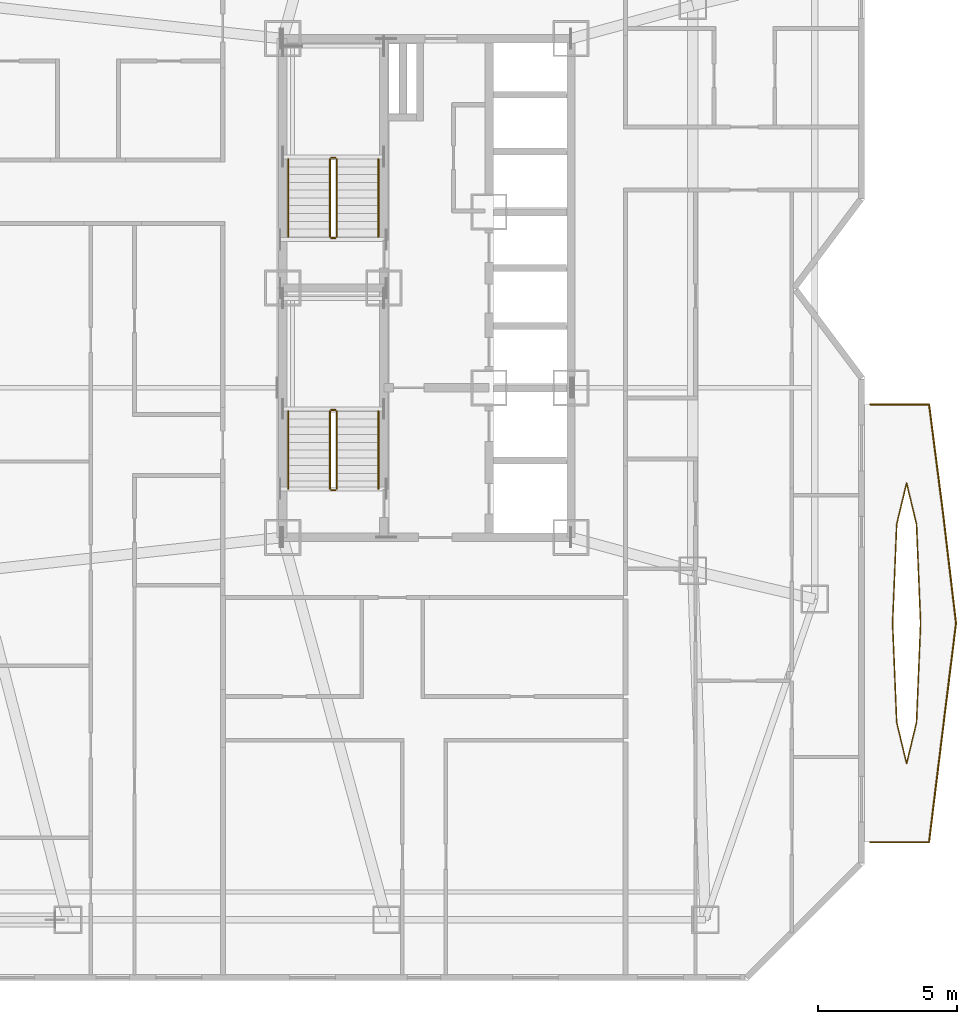
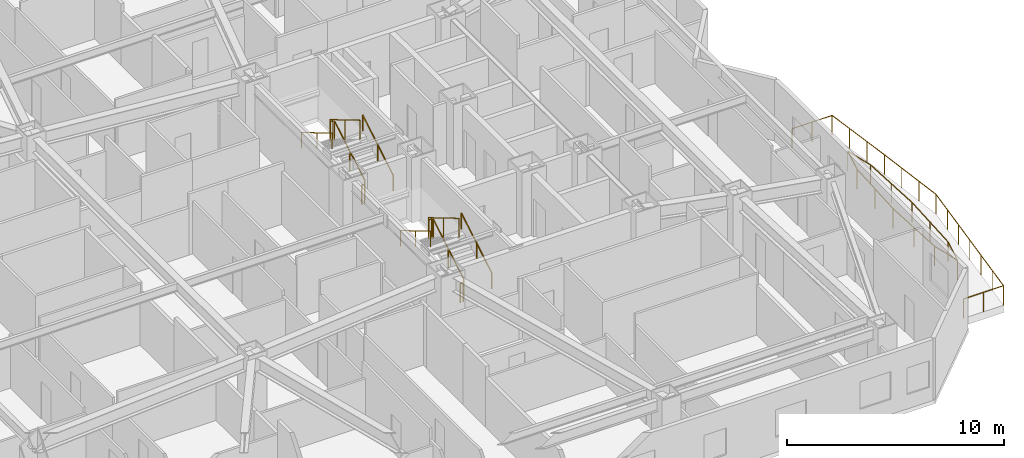
# One storey, part 15 of 16: 16 railings.
"""IFC4 building model written with IfcOpenShell, lengths in metres."""

from ifc_helpers import new_model, si_unit, direction, frame, origin, origin_2d, place, context, subcontext, project, spatial, circle, extrude, material, type_object, element, save


model = new_model("IFC4")

# Units and contexts
model_context = context("Model", 3, precision=1e-05, world=origin(), true_north=direction((0.0, 1.0)))
body_context = subcontext(model_context, "Body", "Model", "MODEL_VIEW")
ifc_project = project(units=[si_unit("LENGTHUNIT", "METRE"), si_unit("AREAUNIT", "SQUARE_METRE"), si_unit("VOLUMEUNIT", "CUBIC_METRE"), si_unit("PLANEANGLEUNIT", "RADIAN"), si_unit("MASSUNIT", "GRAM", prefix="KILO")], contexts=[model_context])

# Site, building, storey
site_placement = place(None, origin())
site = spatial("IfcSite", under=ifc_project, at=site_placement, CompositionType="ELEMENT")
building_placement = place(site_placement, origin())
building = spatial("IfcBuilding", under=site, at=building_placement, Name="Khamvora Tower", CompositionType="ELEMENT")
storey_placement = place(building_placement, frame((0.0, 0.0, 77.10009765625)))
storey = spatial("IfcBuildingStorey", under=building, at=storey_placement, Name="L19", CompositionType="ELEMENT", Elevation=77.10009765625)

# Railings
ifc_material_1 = material(Name="Stainless Steel 316 and Laminated Glass", Category="steel")
railing_type_1 = type_object("IfcRailingType", Name="RAL-GAL-1120", PredefinedType="GUARDRAIL", material=ifc_material_1)
railing_1_placement = place(storey_placement, frame((50.199951171875, 8.0, 0.0)))
element("IfcRailing", 1, at=railing_1_placement, inside=storey, type_object=railing_type_1, Name="L19 lens gallery south perimeter guardrail EL1", PredefinedType="GUARDRAIL", context=body_context, shape_type="SweptSolid", body=[
    extrude(circle(Radius=0.02392578125, at=origin_2d()), frame((0.0, 0.0, 1.09619140625), z_axis=(1.0, 0.0, 0.0), x_axis=(0.0, 1.0, 0.0)), (0.0, 0.0, 1.0), 2.125),
    extrude(circle(Radius=0.02392578125, at=origin_2d()), frame((2.125, 0.0, 1.09619140625), z_axis=(0.12189766322, 0.992542673995, 0.0), x_axis=(-0.992542673995, 0.12189766322, 0.0)), (0.0, 0.0, 1.0), 3.979736328125),
    extrude(circle(Radius=0.02392578125, at=origin_2d()), frame((2.610107421875, 3.949951171875, 1.09619140625), z_axis=(0.123106111701, 0.992393513311, 0.0), x_axis=(-0.992393513311, 0.123106111701, 0.0)), (0.0, 0.0, 1.0), 3.980224609375),
    extrude(circle(Radius=0.02099609375, at=origin_2d()), origin(), (0.0, 0.0, 1.0), 1.072021484375),
    extrude(circle(Radius=0.02099609375, at=origin_2d()), frame((1.0625, 0.0, 0.0)), (0.0, 0.0, 1.0), 1.072021484375),
    extrude(circle(Radius=0.02099609375, at=origin_2d()), frame((2.125, 0.0, 0.0)), (0.0, 0.0, 1.0), 1.072021484375),
    extrude(circle(Radius=0.02099609375, at=origin_2d()), frame((2.28662109375, 1.316650390625, 0.0)), (0.0, 0.0, 1.0), 1.072021484375),
    extrude(circle(Radius=0.02099609375, at=origin_2d()), frame((2.448486328125, 2.63330078125, 0.0)), (0.0, 0.0, 1.0), 1.072021484375),
    extrude(circle(Radius=0.02099609375, at=origin_2d()), frame((2.610107421875, 3.949951171875, 0.0)), (0.0, 0.0, 1.0), 1.072021484375),
    extrude(circle(Radius=0.02099609375, at=origin_2d()), frame((2.7734375, 5.2666015625, 0.0)), (0.0, 0.0, 1.0), 1.072021484375),
    extrude(circle(Radius=0.02099609375, at=origin_2d()), frame((2.936767578125, 6.583251953125, 0.0)), (0.0, 0.0, 1.0), 1.072021484375),
    extrude(circle(Radius=0.02099609375, at=origin_2d()), frame((3.10009765625, 7.89990234375, 0.0)), (0.0, 0.0, 1.0), 1.072021484375),
])
railing_2_placement = place(storey_placement, frame((53.300048828125, 15.89990234375, 0.0)))
element("IfcRailing", 2, at=railing_2_placement, inside=storey, type_object=railing_type_1, Name="L19 lens gallery north perimeter guardrail EL1", PredefinedType="GUARDRAIL", context=body_context, shape_type="SweptSolid", body=[
    extrude(circle(Radius=0.02392578125, at=origin_2d()), frame((0.0, 0.0, 1.09619140625), z_axis=(-0.117172436077, 0.993111584981, 0.0), x_axis=(-0.993111584981, -0.117172436077, 0.0)), (0.0, 0.0, 1.0), 3.9775390625),
    extrude(circle(Radius=0.02392578125, at=origin_2d()), frame((-0.466064453125, 3.9501953125, 1.09619140625), z_axis=(-0.127572572212, 0.99182923874, 0.0), x_axis=(-0.99182923874, -0.127572572212, 0.0)), (0.0, 0.0, 1.0), 3.982421875),
    extrude(circle(Radius=0.02392578125, at=origin_2d()), frame((-0.97412109375, 7.900146484375, 1.09619140625), z_axis=(-1.0, 0.0, 0.0), x_axis=(0.0, -1.0, 0.0)), (0.0, 0.0, 1.0), 2.1259765625),
    extrude(circle(Radius=0.02099609375, at=origin_2d()), origin(), (0.0, 0.0, 1.0), 1.072021484375),
    extrude(circle(Radius=0.02099609375, at=origin_2d()), frame((-0.1552734375, 1.316650390625, 0.0)), (0.0, 0.0, 1.0), 1.072021484375),
    extrude(circle(Radius=0.02099609375, at=origin_2d()), frame((-0.310791015625, 2.633544921875, 0.0)), (0.0, 0.0, 1.0), 1.072021484375),
    extrude(circle(Radius=0.02099609375, at=origin_2d()), frame((-0.466064453125, 3.9501953125, 0.0)), (0.0, 0.0, 1.0), 1.072021484375),
    extrude(circle(Radius=0.02099609375, at=origin_2d()), frame((-0.635498046875, 5.266845703125, 0.0)), (0.0, 0.0, 1.0), 1.072021484375),
    extrude(circle(Radius=0.02099609375, at=origin_2d()), frame((-0.8046875, 6.58349609375, 0.0)), (0.0, 0.0, 1.0), 1.072021484375),
    extrude(circle(Radius=0.02099609375, at=origin_2d()), frame((-0.97412109375, 7.900146484375, 0.0)), (0.0, 0.0, 1.0), 1.072021484375),
    extrude(circle(Radius=0.02099609375, at=origin_2d()), frame((-2.037109375, 7.900146484375, 0.0)), (0.0, 0.0, 1.0), 1.072021484375),
    extrude(circle(Radius=0.02099609375, at=origin_2d()), frame((-3.10009765625, 7.900146484375, 0.0)), (0.0, 0.0, 1.0), 1.072021484375),
])
railing_3_placement = place(storey_placement, frame((52.01904296875, 15.89990234375, 0.0)))
element("IfcRailing", 3, at=railing_3_placement, inside=storey, type_object=railing_type_1, Name="L19 lens gallery void guardrail EL1A", PredefinedType="GUARDRAIL", context=body_context, shape_type="SweptSolid", body=[
    extrude(circle(Radius=0.02392578125, at=origin_2d()), frame((0.0, 0.0, 1.09619140625), z_axis=(-0.041346748408, 0.999144857564, 0.0), x_axis=(-0.999144857564, -0.041346748408, 0.0)), (0.0, 0.0, 1.0), 3.578369140625),
    extrude(circle(Radius=0.02392578125, at=origin_2d()), frame((-0.14794921875, 3.5751953125, 1.09619140625), z_axis=(-0.233851831104, 0.972272246384, 0.0), x_axis=(-0.972272246384, -0.233851831104, 0.0)), (0.0, 0.0, 1.0), 1.523193359375),
    extrude(circle(Radius=0.02392578125, at=origin_2d()), frame((-0.504150390625, 5.05615234375, 1.09619140625), z_axis=(-0.233700305622, -0.972308678945, 0.0), x_axis=(0.972308678945, -0.233700305622, 0.0)), (0.0, 0.0, 1.0), 1.523193359375),
    extrude(circle(Radius=0.02392578125, at=origin_2d()), frame((-0.860107421875, 3.5751953125, 1.09619140625), z_axis=(-0.041346748408, -0.999144857564, 0.0), x_axis=(0.999144857564, -0.041346748408, 0.0)), (0.0, 0.0, 1.0), 3.578369140625),
    extrude(circle(Radius=0.02099609375, at=origin_2d()), origin(), (0.0, 0.0, 1.0), 1.072021484375),
    extrude(circle(Radius=0.02099609375, at=origin_2d()), frame((-0.073974609375, 1.78759765625, 0.0)), (0.0, 0.0, 1.0), 1.072021484375),
    extrude(circle(Radius=0.02099609375, at=origin_2d()), frame((-0.14794921875, 3.5751953125, 0.0)), (0.0, 0.0, 1.0), 1.072021484375),
    extrude(circle(Radius=0.02099609375, at=origin_2d()), frame((-0.504150390625, 5.05615234375, 0.0)), (0.0, 0.0, 1.0), 1.072021484375),
    extrude(circle(Radius=0.02099609375, at=origin_2d()), frame((-0.860107421875, 3.5751953125, 0.0)), (0.0, 0.0, 1.0), 1.072021484375),
    extrude(circle(Radius=0.02099609375, at=origin_2d()), frame((-0.93408203125, 1.78759765625, 0.0)), (0.0, 0.0, 1.0), 1.072021484375),
    extrude(circle(Radius=0.02099609375, at=origin_2d()), frame((-1.008056640625, 0.0, 0.0)), (0.0, 0.0, 1.0), 1.072021484375),
])
railing_4_placement = place(storey_placement, frame((51.010986328125, 15.89990234375, 0.0)))
element("IfcRailing", 4, at=railing_4_placement, inside=storey, type_object=railing_type_1, Name="L19 lens gallery void guardrail EL1B", PredefinedType="GUARDRAIL", context=body_context, shape_type="SweptSolid", body=[
    extrude(circle(Radius=0.02392578125, at=origin_2d()), frame((0.0, 0.0, 1.09619140625), z_axis=(0.041349567233, -0.999144740911, 0.0), x_axis=(0.999144740911, 0.041349567233, 0.0)), (0.0, 0.0, 1.0), 3.578125),
    extrude(circle(Radius=0.02392578125, at=origin_2d()), frame((0.14794921875, -3.574951171875, 1.09619140625), z_axis=(0.233700305622, -0.972308678945, 0.0), x_axis=(0.972308678945, 0.233700305622, 0.0)), (0.0, 0.0, 1.0), 1.523193359375),
    extrude(circle(Radius=0.02392578125, at=origin_2d()), frame((0.50390625, -5.055908203125, 1.09619140625), z_axis=(0.233851831104, 0.972272246384, 0.0), x_axis=(-0.972272246384, 0.233851831104, 0.0)), (0.0, 0.0, 1.0), 1.523193359375),
    extrude(circle(Radius=0.02392578125, at=origin_2d()), frame((0.860107421875, -3.574951171875, 1.09619140625), z_axis=(0.041349567233, 0.999144740911, 0.0), x_axis=(-0.999144740911, 0.041349567233, 0.0)), (0.0, 0.0, 1.0), 3.578125),
    extrude(circle(Radius=0.02099609375, at=origin_2d()), origin(), (0.0, 0.0, 1.0), 1.072021484375),
    extrude(circle(Radius=0.02099609375, at=origin_2d()), frame((0.073974609375, -1.78759765625, 0.0)), (0.0, 0.0, 1.0), 1.072021484375),
    extrude(circle(Radius=0.02099609375, at=origin_2d()), frame((0.14794921875, -3.574951171875, 0.0)), (0.0, 0.0, 1.0), 1.072021484375),
    extrude(circle(Radius=0.02099609375, at=origin_2d()), frame((0.50390625, -5.055908203125, 0.0)), (0.0, 0.0, 1.0), 1.072021484375),
    extrude(circle(Radius=0.02099609375, at=origin_2d()), frame((0.860107421875, -3.574951171875, 0.0)), (0.0, 0.0, 1.0), 1.072021484375),
    extrude(circle(Radius=0.02099609375, at=origin_2d()), frame((0.93408203125, -1.78759765625, 0.0)), (0.0, 0.0, 1.0), 1.072021484375),
    extrude(circle(Radius=0.02099609375, at=origin_2d()), frame((1.008056640625, 0.0, 0.0)), (0.0, 0.0, 1.0), 1.072021484375),
])
ifc_material_2 = material(Name="Brushed Stainless Steel 316", Category="steel")
railing_type_2 = type_object("IfcRailingType", Name="RAL-HDR-920", PredefinedType="HANDRAIL", material=ifc_material_2)
railing_5_placement = place(storey_placement, frame((32.449951171875, 20.75, 0.165771484375)))
element("IfcRailing", 5, at=railing_5_placement, inside=storey, type_object=railing_type_2, Name="L19 ST-01 stair handrail 1", PredefinedType="HANDRAIL", context=body_context, shape_type="SweptSolid", body=[
    extrude(circle(Radius=0.02392578125, at=origin_2d()), frame((0.0, 0.0, 0.8759765625), z_axis=(0.0, 0.860306154799, 0.50977771628), x_axis=(-1.0, 0.0, 0.0)), (0.0, 0.0, 1.0), 3.254638671875),
    extrude(circle(Radius=0.02099609375, at=origin_2d()), origin(), (0.0, 0.0, 1.0), 0.851806640625),
    extrude(circle(Radius=0.02099609375, at=origin_2d()), frame((0.0, 1.39990234375, 0.82958984375)), (0.0, 0.0, 1.0), 0.851806640625),
    extrude(circle(Radius=0.02099609375, at=origin_2d()), frame((0.0, 2.800048828125, 1.6591796875)), (0.0, 0.0, 1.0), 0.851806640625),
])
railing_6_placement = place(storey_placement, frame((29.199951171875, 23.550048828125, 1.99072265625)))
element("IfcRailing", 6, at=railing_6_placement, inside=storey, type_object=railing_type_2, Name="L19 ST-01 stair handrail 2", PredefinedType="HANDRAIL", context=body_context, shape_type="SweptSolid", body=[
    extrude(circle(Radius=0.02392578125, at=origin_2d()), frame((0.0, 0.0, 0.8759765625), z_axis=(0.0, -0.860306154799, 0.50977771628), x_axis=(1.0, 0.0, 0.0)), (0.0, 0.0, 1.0), 3.254638671875),
    extrude(circle(Radius=0.02099609375, at=origin_2d()), origin(), (0.0, 0.0, 1.0), 0.851806640625),
    extrude(circle(Radius=0.02099609375, at=origin_2d()), frame((0.0, -1.39990234375, 0.82958984375)), (0.0, 0.0, 1.0), 0.851806640625),
    extrude(circle(Radius=0.02099609375, at=origin_2d()), frame((0.0, -2.800048828125, 1.6591796875)), (0.0, 0.0, 1.0), 0.851806640625),
])
railing_7_placement = place(storey_placement, frame((32.449951171875, 29.85009765625, 0.165771484375)))
element("IfcRailing", 7, at=railing_7_placement, inside=storey, type_object=railing_type_2, Name="L19 ST-02 stair handrail 1", PredefinedType="HANDRAIL", context=body_context, shape_type="SweptSolid", body=[
    extrude(circle(Radius=0.02392578125, at=origin_2d()), frame((0.0, 0.0, 0.8759765625), z_axis=(0.0, 0.860286659441, 0.509810615413), x_axis=(-1.0, 0.0, 0.0)), (0.0, 0.0, 1.0), 3.25439453125),
    extrude(circle(Radius=0.02099609375, at=origin_2d()), origin(), (0.0, 0.0, 1.0), 0.851806640625),
    extrude(circle(Radius=0.02099609375, at=origin_2d()), frame((0.0, 1.39990234375, 0.82958984375)), (0.0, 0.0, 1.0), 0.851806640625),
    extrude(circle(Radius=0.02099609375, at=origin_2d()), frame((0.0, 2.7998046875, 1.6591796875)), (0.0, 0.0, 1.0), 0.851806640625),
])
railing_8_placement = place(storey_placement, frame((29.199951171875, 32.64990234375, 1.99072265625)))
element("IfcRailing", 8, at=railing_8_placement, inside=storey, type_object=railing_type_2, Name="L19 ST-02 stair handrail 2", PredefinedType="HANDRAIL", context=body_context, shape_type="SweptSolid", body=[
    extrude(circle(Radius=0.02392578125, at=origin_2d()), frame((0.0, 0.0, 0.8759765625), z_axis=(0.0, -0.860286659441, 0.509810615413), x_axis=(1.0, 0.0, 0.0)), (0.0, 0.0, 1.0), 3.25439453125),
    extrude(circle(Radius=0.02099609375, at=origin_2d()), origin(), (0.0, 0.0, 1.0), 0.851806640625),
    extrude(circle(Radius=0.02099609375, at=origin_2d()), frame((0.0, -1.39990234375, 0.82958984375)), (0.0, 0.0, 1.0), 0.851806640625),
    extrude(circle(Radius=0.02099609375, at=origin_2d()), frame((0.0, -2.7998046875, 1.6591796875)), (0.0, 0.0, 1.0), 0.851806640625),
])
ifc_material_3 = material(Name="Stainless Steel 316", Category="steel")
railing_type_3 = type_object("IfcRailingType", Name="RAL-STG-1100", PredefinedType="GUARDRAIL", material=ifc_material_3)
railing_9_placement = place(storey_placement, frame((30.949951171875, 20.75, 0.165771484375)))
element("IfcRailing", 9, at=railing_9_placement, inside=storey, type_object=railing_type_3, Name="L19 ST-01 stair guard 1", PredefinedType="GUARDRAIL", context=body_context, shape_type="SweptSolid", body=[
    extrude(circle(Radius=0.02392578125, at=origin_2d()), frame((0.0, 0.0, 1.076171875), z_axis=(0.0, 0.860306154799, 0.50977771628), x_axis=(-1.0, 0.0, 0.0)), (0.0, 0.0, 1.0), 3.254638671875),
    extrude(circle(Radius=0.02099609375, at=origin_2d()), origin(), (0.0, 0.0, 1.0), 1.052001953125),
    extrude(circle(Radius=0.02099609375, at=origin_2d()), frame((0.0, 1.39990234375, 0.82958984375)), (0.0, 0.0, 1.0), 1.052001953125),
    extrude(circle(Radius=0.02099609375, at=origin_2d()), frame((0.0, 2.800048828125, 1.6591796875)), (0.0, 0.0, 1.0), 1.052001953125),
])
railing_10_placement = place(storey_placement, frame((30.89990234375, 23.60009765625, 1.824951171875)))
element("IfcRailing", 10, at=railing_10_placement, inside=storey, type_object=railing_type_3, Name="L19 ST-01 stair guard 2", PredefinedType="GUARDRAIL", context=body_context, shape_type="SweptSolid", body=[
    extrude(circle(Radius=0.02392578125, at=origin_2d()), frame((0.0, 0.0, 1.076171875), z_axis=(-1.0, 0.0, 0.0), x_axis=(0.0, -1.0, 0.0)), (0.0, 0.0, 1.0), 0.14990234375),
    extrude(circle(Radius=0.02099609375, at=origin_2d()), origin(), (0.0, 0.0, 1.0), 1.052001953125),
    extrude(circle(Radius=0.02099609375, at=origin_2d()), frame((-0.14990234375, 0.0, 0.0)), (0.0, 0.0, 1.0), 1.052001953125),
])
railing_11_placement = place(storey_placement, frame((30.699951171875, 23.550048828125, 1.99072265625)))
element("IfcRailing", 11, at=railing_11_placement, inside=storey, type_object=railing_type_3, Name="L19 ST-01 stair guard 3", PredefinedType="GUARDRAIL", context=body_context, shape_type="SweptSolid", body=[
    extrude(circle(Radius=0.02392578125, at=origin_2d()), frame((0.0, 0.0, 1.076171875), z_axis=(0.0, -0.860306154799, 0.50977771628), x_axis=(1.0, 0.0, 0.0)), (0.0, 0.0, 1.0), 3.254638671875),
    extrude(circle(Radius=0.02099609375, at=origin_2d()), origin(), (0.0, 0.0, 1.0), 1.052001953125),
    extrude(circle(Radius=0.02099609375, at=origin_2d()), frame((0.0, -1.39990234375, 0.82958984375)), (0.0, 0.0, 1.0), 1.052001953125),
    extrude(circle(Radius=0.02099609375, at=origin_2d()), frame((0.0, -2.800048828125, 1.6591796875)), (0.0, 0.0, 1.0), 1.052001953125),
])
railing_12_placement = place(storey_placement, frame((30.89990234375, 20.699951171875, 0.0)))
element("IfcRailing", 12, at=railing_12_placement, inside=storey, type_object=railing_type_3, Name="L19 ST-01 stair guard 4", PredefinedType="GUARDRAIL", context=body_context, shape_type="SweptSolid", body=[
    extrude(circle(Radius=0.02392578125, at=origin_2d()), frame((0.0, 0.0, 1.076171875), z_axis=(-1.0, 0.0, 0.0), x_axis=(0.0, -1.0, 0.0)), (0.0, 0.0, 1.0), 0.14990234375),
    extrude(circle(Radius=0.02099609375, at=origin_2d()), origin(), (0.0, 0.0, 1.0), 1.052001953125),
    extrude(circle(Radius=0.02099609375, at=origin_2d()), frame((-0.14990234375, 0.0, 0.0)), (0.0, 0.0, 1.0), 1.052001953125),
])
railing_13_placement = place(storey_placement, frame((30.949951171875, 29.85009765625, 0.165771484375)))
element("IfcRailing", 13, at=railing_13_placement, inside=storey, type_object=railing_type_3, Name="L19 ST-02 stair guard 1", PredefinedType="GUARDRAIL", context=body_context, shape_type="SweptSolid", body=[
    extrude(circle(Radius=0.02392578125, at=origin_2d()), frame((0.0, 0.0, 1.076171875), z_axis=(0.0, 0.860286659441, 0.509810615413), x_axis=(-1.0, 0.0, 0.0)), (0.0, 0.0, 1.0), 3.25439453125),
    extrude(circle(Radius=0.02099609375, at=origin_2d()), origin(), (0.0, 0.0, 1.0), 1.052001953125),
    extrude(circle(Radius=0.02099609375, at=origin_2d()), frame((0.0, 1.39990234375, 0.82958984375)), (0.0, 0.0, 1.0), 1.052001953125),
    extrude(circle(Radius=0.02099609375, at=origin_2d()), frame((0.0, 2.7998046875, 1.6591796875)), (0.0, 0.0, 1.0), 1.052001953125),
])
railing_14_placement = place(storey_placement, frame((30.89990234375, 32.699951171875, 1.824951171875)))
element("IfcRailing", 14, at=railing_14_placement, inside=storey, type_object=railing_type_3, Name="L19 ST-02 stair guard 2", PredefinedType="GUARDRAIL", context=body_context, shape_type="SweptSolid", body=[
    extrude(circle(Radius=0.02392578125, at=origin_2d()), frame((0.0, 0.0, 1.076171875), z_axis=(-1.0, 0.0, 0.0), x_axis=(0.0, -1.0, 0.0)), (0.0, 0.0, 1.0), 0.14990234375),
    extrude(circle(Radius=0.02099609375, at=origin_2d()), origin(), (0.0, 0.0, 1.0), 1.052001953125),
    extrude(circle(Radius=0.02099609375, at=origin_2d()), frame((-0.14990234375, 0.0, 0.0)), (0.0, 0.0, 1.0), 1.052001953125),
])
railing_15_placement = place(storey_placement, frame((30.699951171875, 32.64990234375, 1.99072265625)))
element("IfcRailing", 15, at=railing_15_placement, inside=storey, type_object=railing_type_3, Name="L19 ST-02 stair guard 3", PredefinedType="GUARDRAIL", context=body_context, shape_type="SweptSolid", body=[
    extrude(circle(Radius=0.02392578125, at=origin_2d()), frame((0.0, 0.0, 1.076171875), z_axis=(0.0, -0.860286659441, 0.509810615413), x_axis=(1.0, 0.0, 0.0)), (0.0, 0.0, 1.0), 3.25439453125),
    extrude(circle(Radius=0.02099609375, at=origin_2d()), origin(), (0.0, 0.0, 1.0), 1.052001953125),
    extrude(circle(Radius=0.02099609375, at=origin_2d()), frame((0.0, -1.39990234375, 0.82958984375)), (0.0, 0.0, 1.0), 1.052001953125),
    extrude(circle(Radius=0.02099609375, at=origin_2d()), frame((0.0, -2.7998046875, 1.6591796875)), (0.0, 0.0, 1.0), 1.052001953125),
])
railing_16_placement = place(storey_placement, frame((30.89990234375, 29.800048828125, 0.0)))
element("IfcRailing", 16, at=railing_16_placement, inside=storey, type_object=railing_type_3, Name="L19 ST-02 stair guard 4", PredefinedType="GUARDRAIL", context=body_context, shape_type="SweptSolid", body=[
    extrude(circle(Radius=0.02392578125, at=origin_2d()), frame((0.0, 0.0, 1.076171875), z_axis=(-1.0, 0.0, 0.0), x_axis=(0.0, -1.0, 0.0)), (0.0, 0.0, 1.0), 0.14990234375),
    extrude(circle(Radius=0.02099609375, at=origin_2d()), origin(), (0.0, 0.0, 1.0), 1.052001953125),
    extrude(circle(Radius=0.02099609375, at=origin_2d()), frame((-0.14990234375, 0.0, 0.0)), (0.0, 0.0, 1.0), 1.052001953125),
])

save(model, "model.ifc")
